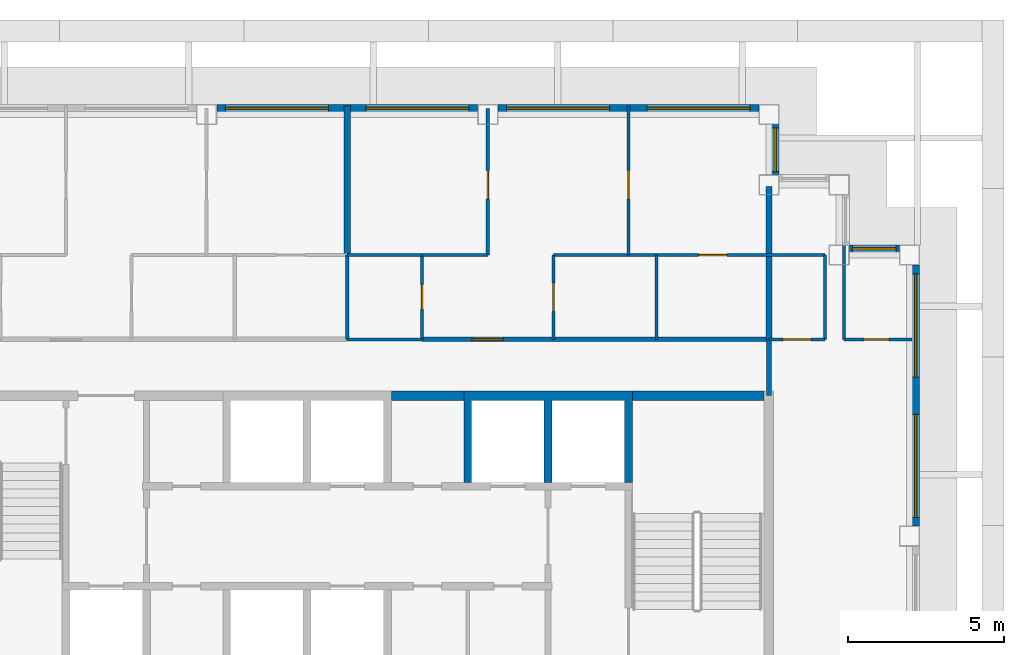
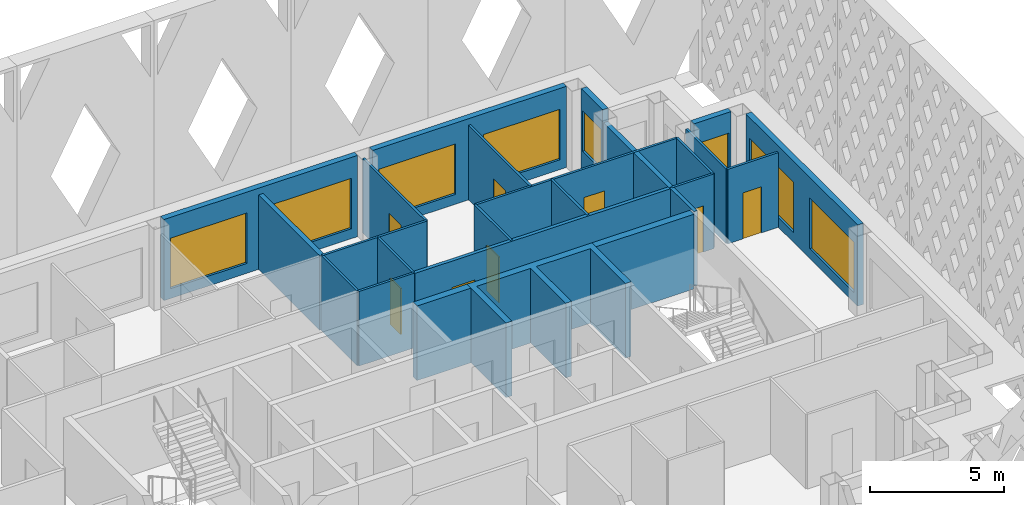
# One storey, part 7 of 17: 26 walls, 8 doors, 8 windows, 16 openings.
"""IFC4 building model written with IfcOpenShell, lengths in metres."""

from ifc_helpers import new_model, si_unit, direction, frame, frame_2d, origin, place, context, subcontext, project, spatial, polyline, rectangle, outline, extrude, material, layer, layer_set, type_object, element, fill, save


model = new_model("IFC4")

# Units and contexts
model_context = context("Model", 3, precision=1e-05, world=origin(), true_north=direction((0.0, 1.0)))
body_context = subcontext(model_context, "Body", "Model", "MODEL_VIEW")
ifc_project = project(units=[si_unit("LENGTHUNIT", "METRE"), si_unit("AREAUNIT", "SQUARE_METRE"), si_unit("VOLUMEUNIT", "CUBIC_METRE"), si_unit("PLANEANGLEUNIT", "RADIAN"), si_unit("MASSUNIT", "GRAM", prefix="KILO")], contexts=[model_context])

# Site, building, storey
site_placement = place(None, origin())
site = spatial("IfcSite", under=ifc_project, at=site_placement, CompositionType="ELEMENT")
building_placement = place(site_placement, origin())
building = spatial("IfcBuilding", under=site, at=building_placement, Name="Caravel Reach Hotel and Residences", CompositionType="ELEMENT")
storey_placement = place(building_placement, frame((0.0, 0.0, 222.0)))
storey = spatial("IfcBuildingStorey", under=building, at=storey_placement, Name="L56", CompositionType="ELEMENT", Elevation=222.0)

# Wall
ifc_material_1 = material(Name="Gypsum board on steel stud", Category="steel")
ifc_layer_1 = layer(ifc_material_1, 0.10009765625)
ifc_layer_set_1 = layer_set([ifc_layer_1], Name="Bathroom pod wall 100 mm")
wall_type_1 = type_object("IfcWallType", Name="Bathroom pod wall 100 mm", PredefinedType="PARTITIONING", material=ifc_layer_set_1)
wall_1_placement = place(storey_placement, frame((31.5, 33.300048828125, 0.0), z_axis=(0.0, 0.0, 1.0), x_axis=(1.0, 0.0, 0.0)))
element("IfcWall", 1, at=wall_1_placement, inside=storey, type_object=wall_type_1, Name="L56 wall w082", PredefinedType="PARTITIONING", context=body_context, shape_type="SweptSolid", body=[
    extrude(rectangle(XDim=2.39990234375, YDim=0.10009765625, at=frame_2d((1.199951171875, 0.0))), origin(), (0.0, 0.0, 1.0), 3.39990234375),
])

# Wall, opening, door
wall_2_placement = place(storey_placement, frame((47.39990234375, 33.300048828125, 0.0), z_axis=(0.0, 0.0, 1.0), x_axis=(1.0, 0.0, 0.0)))
wall_2 = element("IfcWall", 2, at=wall_2_placement, inside=storey, type_object=wall_type_1, Name="L56 wall w083", PredefinedType="PARTITIONING", context=body_context, shape_type="SweptSolid", body=[
    extrude(rectangle(XDim=2.175048828125, YDim=0.10009765625, at=frame_2d((1.08740234375, 0.0))), origin(), (0.0, 0.0, 1.0), 3.39990234375),
])
opening_1_placement = place(wall_2_placement, frame((0.64990234375, 0.0, 0.0)))
opening_1 = element("IfcOpeningElement", 3, at=opening_1_placement, cuts=wall_2, Name="Opening D56-045", PredefinedType="OPENING", context=body_context, shape_type="SweptSolid", body=[
    extrude(rectangle(XDim=0.800048828125, YDim=2.10009765625, at=frame_2d((0.39990234375, 1.050048828125))), frame((0.0, 0.06005859375, 0.0), z_axis=(0.0, -1.0, 0.0), x_axis=(1.0, 0.0, 0.0)), (0.0, 0.0, 1.0), 0.1201171875),
])
ifc_material_2 = material(Name="Timber and steel door leaf", Category="steel")
door_type_1 = type_object("IfcDoorType", Name="Bathroom door 800 x 2100", OperationType="SINGLE_SWING_LEFT", PredefinedType="DOOR", material=ifc_material_2)
door_1_placement = place(opening_1_placement, origin())
door_1 = element("IfcDoor", 4, at=door_1_placement, inside=storey, type_object=door_type_1, Name="door D56-045", OperationType="SINGLE_SWING_RIGHT", OverallHeight=2.10009765625, OverallWidth=0.800048828125, PredefinedType="DOOR", context=body_context, shape_type="SweptSolid", body=[
    extrude(rectangle(XDim=0.800048828125, YDim=2.10009765625, at=frame_2d((0.39990234375, 1.050048828125))), frame((0.0, 0.02490234375, 0.0), z_axis=(0.0, -1.0, 0.0), x_axis=(1.0, 0.0, 0.0)), (0.0, 0.0, 1.0), 0.050048828125),
])
fill(opening_1, door_1)

# Walls
wall_3_placement = place(storey_placement, frame((31.5, 36.0, 0.0), z_axis=(0.0, 0.0, 1.0), x_axis=(1.0, 0.0, 0.0)))
element("IfcWall", 5, at=wall_3_placement, inside=storey, type_object=wall_type_1, Name="L56 wall w085", PredefinedType="PARTITIONING", context=body_context, shape_type="SweptSolid", body=[
    extrude(rectangle(XDim=2.39990234375, YDim=0.10009765625, at=frame_2d((1.199951171875, 0.0))), origin(), (0.0, 0.0, 1.0), 3.39990234375),
])
wall_4_placement = place(storey_placement, frame((31.5, 33.300048828125, 0.0), z_axis=(0.0, 0.0, 1.0), x_axis=(0.0, 1.0, 0.0)))
element("IfcWall", 6, at=wall_4_placement, inside=storey, type_object=wall_type_1, Name="L56 wall w095", PredefinedType="PARTITIONING", context=body_context, shape_type="SweptSolid", body=[
    extrude(rectangle(XDim=2.699951171875, YDim=0.10009765625, at=frame_2d((1.35009765625, 0.0))), origin(), (0.0, 0.0, 1.0), 3.39990234375),
])

# Wall, opening, door
wall_5_placement = place(storey_placement, frame((33.89990234375, 33.300048828125, 0.0), z_axis=(0.0, 0.0, 1.0), x_axis=(0.0, 1.0, 0.0)))
wall_5 = element("IfcWall", 7, at=wall_5_placement, inside=storey, type_object=wall_type_1, Name="L56 wall w098", PredefinedType="PARTITIONING", context=body_context, shape_type="SweptSolid", body=[
    extrude(rectangle(XDim=2.699951171875, YDim=0.10009765625, at=frame_2d((1.35009765625, 0.0))), origin(), (0.0, 0.0, 1.0), 3.39990234375),
])
opening_2_placement = place(wall_5_placement, frame((0.949951171875, 0.0, 0.0)))
opening_2 = element("IfcOpeningElement", 8, at=opening_2_placement, cuts=wall_5, Name="Opening D56-024", PredefinedType="OPENING", context=body_context, shape_type="SweptSolid", body=[
    extrude(rectangle(XDim=0.800048828125, YDim=2.10009765625, at=frame_2d((0.39990234375, 1.050048828125))), frame((0.0, 0.06005859375, 0.0), z_axis=(0.0, -1.0, 0.0), x_axis=(1.0, 0.0, 0.0)), (0.0, 0.0, 1.0), 0.1201171875),
])
door_2_placement = place(opening_2_placement, origin())
door_2 = element("IfcDoor", 9, at=door_2_placement, inside=storey, type_object=door_type_1, Name="door D56-024", OperationType="SINGLE_SWING_RIGHT", OverallHeight=2.10009765625, OverallWidth=0.800048828125, PredefinedType="DOOR", context=body_context, shape_type="SweptSolid", body=[
    extrude(rectangle(XDim=0.800048828125, YDim=2.10009765625, at=frame_2d((0.39990234375, 1.050048828125))), frame((0.0, 0.02490234375, 0.0), z_axis=(0.0, -1.0, 0.0), x_axis=(1.0, 0.0, 0.0)), (0.0, 0.0, 1.0), 0.050048828125),
])
fill(opening_2, door_2)

# Walls
wall_6_placement = place(storey_placement, frame((47.39990234375, 33.300048828125, 0.0), z_axis=(0.0, 0.0, 1.0), x_axis=(0.0, 1.0, 0.0)))
element("IfcWall", 10, at=wall_6_placement, inside=storey, type_object=wall_type_1, Name="L56 wall w103", PredefinedType="PARTITIONING", context=body_context, shape_type="SweptSolid", body=[
    extrude(rectangle(XDim=3.02490234375, YDim=0.10009765625, at=frame_2d((1.512451171875, 0.0))), origin(), (0.0, 0.0, 1.0), 3.39990234375),
])
ifc_material_3 = material(Name="Concrete C60", Category="concrete")
ifc_layer_2 = layer(ifc_material_3, 0.300048828125)
ifc_layer_set_2 = layer_set([ifc_layer_2], Name="Core wall 300 mm EI 120")
wall_type_2 = type_object("IfcWallType", Name="Core wall 300 mm EI 120", PredefinedType="SHEAR", material=ifc_layer_set_2)
wall_7_placement = place(storey_placement, frame((32.91064453125, 31.5, 0.0), z_axis=(0.0, 0.0, 1.0), x_axis=(1.0, 0.0, 0.0)))
element("IfcWall", 11, at=wall_7_placement, inside=storey, type_object=wall_type_2, Name="L56 core wall N2", PredefinedType="SHEAR", context=body_context, shape_type="SweptSolid", body=[
    extrude(rectangle(XDim=2.321533203125, YDim=0.300048828125, at=frame_2d((1.16064453125, 0.0))), origin(), (0.0, 0.0, 1.0), 3.39990234375),
])
wall_8_placement = place(storey_placement, frame((40.625, 31.5, 0.0), z_axis=(0.0, 0.0, 1.0), x_axis=(1.0, 0.0, 0.0)))
element("IfcWall", 12, at=wall_8_placement, inside=storey, type_object=wall_type_2, Name="L56 core wall N3", PredefinedType="SHEAR", context=body_context, shape_type="SweptSolid", body=[
    extrude(rectangle(XDim=4.22509765625, YDim=0.300048828125, at=frame_2d((2.112548828125, 0.0))), origin(), (0.0, 0.0, 1.0), 3.39990234375),
])

# Wall, opening, door
ifc_material_4 = material(Name="Gypsum board on steel stud, fire-rated", Category="steel")
ifc_layer_3 = layer(ifc_material_4, 0.14990234375)
ifc_layer_set_3 = layer_set([ifc_layer_3], Name="Corridor wall 150 mm EI 60")
wall_type_3 = type_object("IfcWallType", Name="Corridor wall 150 mm EI 60", PredefinedType="PARTITIONING", material=ifc_layer_set_3)
wall_9_placement = place(storey_placement, frame((33.89990234375, 33.300048828125, 0.0), z_axis=(0.0, 0.0, 1.0), x_axis=(1.0, 0.0, 0.0)))
wall_9 = element("IfcWall", 13, at=wall_9_placement, inside=storey, type_object=wall_type_3, Name="L56 wall w014", PredefinedType="PARTITIONING", context=body_context, shape_type="SweptSolid", body=[
    extrude(rectangle(XDim=11.10009765625, YDim=0.14990234375, at=frame_2d((5.550048828125, 0.0))), origin(), (0.0, 0.0, 1.0), 3.39990234375),
])
opening_3_placement = place(wall_9_placement, frame((1.60009765625, 0.0, 0.0)))
opening_3 = element("IfcOpeningElement", 14, at=opening_3_placement, cuts=wall_9, Name="Opening D56-023", PredefinedType="OPENING", context=body_context, shape_type="SweptSolid", body=[
    extrude(rectangle(XDim=1.0, YDim=2.199951171875, at=frame_2d((0.5, 1.10009765625))), frame((0.0, 0.0849609375, 0.0), z_axis=(0.0, -1.0, 0.0), x_axis=(1.0, 0.0, 0.0)), (0.0, 0.0, 1.0), 0.169921875),
])
ifc_material_5 = material(Name="Steel fire door leaf", Category="steel")
door_type_2 = type_object("IfcDoorType", Name="Flat entrance door 1000 x 2200 EI 60", OperationType="SINGLE_SWING_LEFT", PredefinedType="DOOR", material=ifc_material_5)
door_3_placement = place(opening_3_placement, origin())
door_3 = element("IfcDoor", 15, at=door_3_placement, inside=storey, type_object=door_type_2, Name="door D56-023", OperationType="SINGLE_SWING_RIGHT", OverallHeight=2.199951171875, OverallWidth=1.0, PredefinedType="DOOR", context=body_context, shape_type="SweptSolid", body=[
    extrude(rectangle(XDim=1.0, YDim=2.199951171875, at=frame_2d((0.5, 1.10009765625))), frame((0.0, 0.02490234375, 0.0), z_axis=(0.0, -1.0, 0.0), x_axis=(1.0, 0.0, 0.0)), (0.0, 0.0, 1.0), 0.050048828125),
])
fill(opening_3, door_3)

# Wall
wall_10_placement = place(storey_placement, frame((45.0, 31.5, 0.0), z_axis=(0.0, 0.0, 1.0), x_axis=(0.0, 1.0, 0.0)))
element("IfcWall", 16, at=wall_10_placement, inside=storey, type_object=wall_type_3, Name="L56 wall w028", PredefinedType="PARTITIONING", context=body_context, shape_type="SweptSolid", body=[
    extrude(rectangle(XDim=1.800048828125, YDim=0.14990234375, at=frame_2d((0.89990234375, 0.0))), origin(), (0.0, 0.0, 1.0), 3.39990234375),
])

# Wall, openings, windows
ifc_material_6 = material(Name="Insulated rainscreen wall, aluminium cladding", Category="aluminium")
ifc_layer_4 = layer(ifc_material_6, 0.25)
ifc_layer_set_4 = layer_set([ifc_layer_4], Name="EW1 Tower rainscreen wall")
wall_type_4 = type_object("IfcWallType", Name="EW1 Tower rainscreen wall", PredefinedType="SOLIDWALL", material=ifc_layer_set_4)
wall_11_placement = place(storey_placement, frame((49.699951171875, 27.324951171875, 0.0), z_axis=(0.0, 0.0, 1.0), x_axis=(0.0, 1.0, 0.0)))
wall_11 = element("IfcWall", 17, at=wall_11_placement, inside=storey, type_object=wall_type_4, Name="External wall L56 E6.2", PredefinedType="SOLIDWALL", context=body_context, shape_type="SweptSolid", body=[
    extrude(rectangle(XDim=8.35009765625, YDim=0.25, at=frame_2d((4.175048828125, 0.0))), origin(), (0.0, 0.0, 1.0), 3.699951171875),
])
opening_4_placement = place(wall_11_placement, frame((0.27490234375, 0.0, 0.449951171875)))
opening_4 = element("IfcOpeningElement", 18, at=opening_4_placement, cuts=wall_11, Name="Opening WN15", PredefinedType="OPENING", context=body_context, shape_type="SweptSolid", body=[
    extrude(rectangle(XDim=3.300048828125, YDim=2.300048828125, at=frame_2d((1.64990234375, 1.14990234375))), frame((0.0, 0.135009765625, 0.0), z_axis=(0.0, -1.0, 0.0), x_axis=(1.0, 0.0, 0.0)), (0.0, 0.0, 1.0), 0.27001953125),
])
opening_5_placement = place(wall_11_placement, frame((4.77490234375, 0.0, 0.449951171875)))
opening_5 = element("IfcOpeningElement", 19, at=opening_5_placement, cuts=wall_11, Name="Opening WN15", PredefinedType="OPENING", context=body_context, shape_type="SweptSolid", body=[
    extrude(rectangle(XDim=3.300048828125, YDim=2.300048828125, at=frame_2d((1.64990234375, 1.14990234375))), frame((0.0, 0.135009765625, 0.0), z_axis=(0.0, -1.0, 0.0), x_axis=(1.0, 0.0, 0.0)), (0.0, 0.0, 1.0), 0.27001953125),
])
ifc_material_7 = material(Name="Dark low-e glazing in black aluminium frame", Category="aluminium")
window_type_1 = type_object("IfcWindowType", Name="Residence living window 3300 x 2300", PartitioningType="SINGLE_PANEL", PredefinedType="WINDOW", material=ifc_material_7)
window_1_placement = place(opening_4_placement, origin())
window_1 = element("IfcWindow", 20, at=window_1_placement, inside=storey, type_object=window_type_1, Name="Window L56 E6.2.1", OverallHeight=2.300048828125, OverallWidth=3.300048828125, PartitioningType="SINGLE_PANEL", PredefinedType="WINDOW", context=body_context, shape_type="SweptSolid", body=[
    extrude(rectangle(XDim=3.300048828125, YDim=2.300048828125, at=frame_2d((1.64990234375, 1.14990234375))), frame((0.0, 0.030029296875, 0.0), z_axis=(0.0, -1.0, 0.0), x_axis=(1.0, 0.0, 0.0)), (0.0, 0.0, 1.0), 0.06005859375),
])
fill(opening_4, window_1)
window_2_placement = place(opening_5_placement, origin())
window_2 = element("IfcWindow", 21, at=window_2_placement, inside=storey, type_object=window_type_1, Name="Window L56 E6.2.2", OverallHeight=2.300048828125, OverallWidth=3.300048828125, PartitioningType="SINGLE_PANEL", PredefinedType="WINDOW", context=body_context, shape_type="SweptSolid", body=[
    extrude(rectangle(XDim=3.300048828125, YDim=2.300048828125, at=frame_2d((1.64990234375, 1.14990234375))), frame((0.0, 0.030029296875, 0.0), z_axis=(0.0, -1.0, 0.0), x_axis=(1.0, 0.0, 0.0)), (0.0, 0.0, 1.0), 0.06005859375),
])
fill(opening_5, window_2)

# Wall, opening, window
wall_12_placement = place(storey_placement, frame((49.175048828125, 36.199951171875, 0.0), z_axis=(0.0, 0.0, 1.0), x_axis=(-1.0, 0.0, 0.0)))
wall_12 = element("IfcWall", 22, at=wall_12_placement, inside=storey, type_object=wall_type_4, Name="External wall L56 N7.1", PredefinedType="SOLIDWALL", context=body_context, shape_type="SweptSolid", body=[
    extrude(rectangle(XDim=1.60009765625, YDim=0.25, at=frame_2d((0.800048828125, 0.0))), origin(), (0.0, 0.0, 1.0), 3.699951171875),
])
opening_6_placement = place(wall_12_placement, frame((0.10009765625, 0.0, 0.89990234375)))
opening_6 = element("IfcOpeningElement", 23, at=opening_6_placement, cuts=wall_12, Name="Opening WN22", PredefinedType="OPENING", context=body_context, shape_type="SweptSolid", body=[
    extrude(rectangle(XDim=1.39990234375, YDim=1.85009765625, at=frame_2d((0.699951171875, 0.925048828125))), frame((0.0, 0.135009765625, 0.0), z_axis=(0.0, -1.0, 0.0), x_axis=(1.0, 0.0, 0.0)), (0.0, 0.0, 1.0), 0.27001953125),
])
ifc_material_8 = material(Name="Dark low-e glazing in black aluminium frame", Category="aluminium")
window_type_2 = type_object("IfcWindowType", Name="Residence bedroom window 1400 x 1850", PartitioningType="SINGLE_PANEL", PredefinedType="WINDOW", material=ifc_material_8)
window_3_placement = place(opening_6_placement, origin())
window_3 = element("IfcWindow", 24, at=window_3_placement, inside=storey, type_object=window_type_2, Name="Window L56 N7.1.1", OverallHeight=1.85009765625, OverallWidth=1.39990234375, PartitioningType="SINGLE_PANEL", PredefinedType="WINDOW", context=body_context, shape_type="SweptSolid", body=[
    extrude(rectangle(XDim=1.39990234375, YDim=1.85009765625, at=frame_2d((0.699951171875, 0.925048828125))), frame((0.0, 0.030029296875, 0.0), z_axis=(0.0, -1.0, 0.0), x_axis=(1.0, 0.0, 0.0)), (0.0, 0.0, 1.0), 0.06005859375),
])
fill(opening_6, window_3)

wall_13_placement = place(storey_placement, frame((45.199951171875, 38.574951171875, 0.0), z_axis=(0.0, 0.0, 1.0), x_axis=(0.0, 1.0, 0.0)))
wall_13 = element("IfcWall", 25, at=wall_13_placement, inside=storey, type_object=wall_type_4, Name="External wall L56 E10.1", PredefinedType="SOLIDWALL", context=body_context, shape_type="SweptSolid", body=[
    extrude(rectangle(XDim=1.60009765625, YDim=0.25, at=frame_2d((0.800048828125, 0.0))), origin(), (0.0, 0.0, 1.0), 3.699951171875),
])
opening_7_placement = place(wall_13_placement, frame((0.10009765625, 0.0, 0.89990234375)))
opening_7 = element("IfcOpeningElement", 26, at=opening_7_placement, cuts=wall_13, Name="Opening WN22", PredefinedType="OPENING", context=body_context, shape_type="SweptSolid", body=[
    extrude(rectangle(XDim=1.39990234375, YDim=1.85009765625, at=frame_2d((0.699951171875, 0.925048828125))), frame((0.0, 0.135009765625, 0.0), z_axis=(0.0, -1.0, 0.0), x_axis=(1.0, 0.0, 0.0)), (0.0, 0.0, 1.0), 0.27001953125),
])
window_4_placement = place(opening_7_placement, origin())
window_4 = element("IfcWindow", 27, at=window_4_placement, inside=storey, type_object=window_type_2, Name="Window L56 E10.1.1", OverallHeight=1.85009765625, OverallWidth=1.39990234375, PartitioningType="SINGLE_PANEL", PredefinedType="WINDOW", context=body_context, shape_type="SweptSolid", body=[
    extrude(rectangle(XDim=1.39990234375, YDim=1.85009765625, at=frame_2d((0.699951171875, 0.925048828125))), frame((0.0, 0.030029296875, 0.0), z_axis=(0.0, -1.0, 0.0), x_axis=(1.0, 0.0, 0.0)), (0.0, 0.0, 1.0), 0.06005859375),
])
fill(opening_7, window_4)

# Wall, openings, windows
wall_14_placement = place(storey_placement, frame((44.675048828125, 40.699951171875, 0.0), z_axis=(0.0, 0.0, 1.0), x_axis=(-1.0, 0.0, 0.0)))
wall_14 = element("IfcWall", 28, at=wall_14_placement, inside=storey, type_object=wall_type_4, Name="External wall L56 N11.1", PredefinedType="SOLIDWALL", context=body_context, shape_type="SweptSolid", body=[
    extrude(rectangle(XDim=8.35009765625, YDim=0.25, at=frame_2d((4.175048828125, 0.0))), origin(), (0.0, 0.0, 1.0), 3.699951171875),
])
opening_8_placement = place(wall_14_placement, frame((0.27490234375, 0.0, 0.449951171875)))
opening_8 = element("IfcOpeningElement", 29, at=opening_8_placement, cuts=wall_14, Name="Opening WN15", PredefinedType="OPENING", context=body_context, shape_type="SweptSolid", body=[
    extrude(rectangle(XDim=3.300048828125, YDim=2.300048828125, at=frame_2d((1.64990234375, 1.14990234375))), frame((0.0, 0.135009765625, 0.0), z_axis=(0.0, -1.0, 0.0), x_axis=(1.0, 0.0, 0.0)), (0.0, 0.0, 1.0), 0.27001953125),
])
opening_9_placement = place(wall_14_placement, frame((4.77490234375, 0.0, 0.449951171875)))
opening_9 = element("IfcOpeningElement", 30, at=opening_9_placement, cuts=wall_14, Name="Opening WN15", PredefinedType="OPENING", context=body_context, shape_type="SweptSolid", body=[
    extrude(rectangle(XDim=3.300048828125, YDim=2.300048828125, at=frame_2d((1.64990234375, 1.14990234375))), frame((0.0, 0.135009765625, 0.0), z_axis=(0.0, -1.0, 0.0), x_axis=(1.0, 0.0, 0.0)), (0.0, 0.0, 1.0), 0.27001953125),
])
window_5_placement = place(opening_8_placement, origin())
window_5 = element("IfcWindow", 31, at=window_5_placement, inside=storey, type_object=window_type_1, Name="Window L56 N11.1.1", OverallHeight=2.300048828125, OverallWidth=3.300048828125, PartitioningType="SINGLE_PANEL", PredefinedType="WINDOW", context=body_context, shape_type="SweptSolid", body=[
    extrude(rectangle(XDim=3.300048828125, YDim=2.300048828125, at=frame_2d((1.64990234375, 1.14990234375))), frame((0.0, 0.030029296875, 0.0), z_axis=(0.0, -1.0, 0.0), x_axis=(1.0, 0.0, 0.0)), (0.0, 0.0, 1.0), 0.06005859375),
])
fill(opening_8, window_5)
window_6_placement = place(opening_9_placement, origin())
window_6 = element("IfcWindow", 32, at=window_6_placement, inside=storey, type_object=window_type_1, Name="Window L56 N11.1.2", OverallHeight=2.300048828125, OverallWidth=3.300048828125, PartitioningType="SINGLE_PANEL", PredefinedType="WINDOW", context=body_context, shape_type="SweptSolid", body=[
    extrude(rectangle(XDim=3.300048828125, YDim=2.300048828125, at=frame_2d((1.64990234375, 1.14990234375))), frame((0.0, 0.030029296875, 0.0), z_axis=(0.0, -1.0, 0.0), x_axis=(1.0, 0.0, 0.0)), (0.0, 0.0, 1.0), 0.06005859375),
])
fill(opening_9, window_6)

wall_15_placement = place(storey_placement, frame((35.675048828125, 40.699951171875, 0.0), z_axis=(0.0, 0.0, 1.0), x_axis=(-1.0, 0.0, 0.0)))
wall_15 = element("IfcWall", 33, at=wall_15_placement, inside=storey, type_object=wall_type_4, Name="External wall L56 N11.2", PredefinedType="SOLIDWALL", context=body_context, shape_type="SweptSolid", body=[
    extrude(rectangle(XDim=8.35009765625, YDim=0.25, at=frame_2d((4.175048828125, 0.0))), origin(), (0.0, 0.0, 1.0), 3.699951171875),
])
opening_10_placement = place(wall_15_placement, frame((0.27490234375, 0.0, 0.449951171875)))
opening_10 = element("IfcOpeningElement", 34, at=opening_10_placement, cuts=wall_15, Name="Opening WN15", PredefinedType="OPENING", context=body_context, shape_type="SweptSolid", body=[
    extrude(rectangle(XDim=3.300048828125, YDim=2.300048828125, at=frame_2d((1.64990234375, 1.14990234375))), frame((0.0, 0.135009765625, 0.0), z_axis=(0.0, -1.0, 0.0), x_axis=(1.0, 0.0, 0.0)), (0.0, 0.0, 1.0), 0.27001953125),
])
opening_11_placement = place(wall_15_placement, frame((4.77490234375, 0.0, 0.449951171875)))
opening_11 = element("IfcOpeningElement", 35, at=opening_11_placement, cuts=wall_15, Name="Opening WN15", PredefinedType="OPENING", context=body_context, shape_type="SweptSolid", body=[
    extrude(rectangle(XDim=3.300048828125, YDim=2.300048828125, at=frame_2d((1.64990234375, 1.14990234375))), frame((0.0, 0.135009765625, 0.0), z_axis=(0.0, -1.0, 0.0), x_axis=(1.0, 0.0, 0.0)), (0.0, 0.0, 1.0), 0.27001953125),
])
window_7_placement = place(opening_10_placement, origin())
window_7 = element("IfcWindow", 36, at=window_7_placement, inside=storey, type_object=window_type_1, Name="Window L56 N11.2.1", OverallHeight=2.300048828125, OverallWidth=3.300048828125, PartitioningType="SINGLE_PANEL", PredefinedType="WINDOW", context=body_context, shape_type="SweptSolid", body=[
    extrude(rectangle(XDim=3.300048828125, YDim=2.300048828125, at=frame_2d((1.64990234375, 1.14990234375))), frame((0.0, 0.030029296875, 0.0), z_axis=(0.0, -1.0, 0.0), x_axis=(1.0, 0.0, 0.0)), (0.0, 0.0, 1.0), 0.06005859375),
])
fill(opening_10, window_7)
window_8_placement = place(opening_11_placement, origin())
window_8 = element("IfcWindow", 37, at=window_8_placement, inside=storey, type_object=window_type_1, Name="Window L56 N11.2.2", OverallHeight=2.300048828125, OverallWidth=3.300048828125, PartitioningType="SINGLE_PANEL", PredefinedType="WINDOW", context=body_context, shape_type="SweptSolid", body=[
    extrude(rectangle(XDim=3.300048828125, YDim=2.300048828125, at=frame_2d((1.64990234375, 1.14990234375))), frame((0.0, 0.030029296875, 0.0), z_axis=(0.0, -1.0, 0.0), x_axis=(1.0, 0.0, 0.0)), (0.0, 0.0, 1.0), 0.06005859375),
])
fill(opening_11, window_8)

# Wall, opening, door
ifc_material_9 = material(Name="Gypsum board on steel stud", Category="steel")
ifc_layer_5 = layer(ifc_material_9, 0.10009765625)
ifc_layer_set_5 = layer_set([ifc_layer_5], Name="Partition 100 mm")
wall_type_5 = type_object("IfcWallType", Name="Partition 100 mm", PredefinedType="PARTITIONING", material=ifc_layer_set_5)
wall_16_placement = place(storey_placement, frame((45.0, 33.300048828125, 0.0), z_axis=(0.0, 0.0, 1.0), x_axis=(1.0, 0.0, 0.0)))
wall_16 = element("IfcWall", 38, at=wall_16_placement, inside=storey, type_object=wall_type_5, Name="L56 wall w037", PredefinedType="PARTITIONING", context=body_context, shape_type="SweptSolid", body=[
    extrude(rectangle(XDim=1.800048828125, YDim=0.10009765625, at=frame_2d((0.89990234375, 0.0))), origin(), (0.0, 0.0, 1.0), 3.39990234375),
])
opening_12_placement = place(wall_16_placement, frame((0.449951171875, 0.0, 0.0)))
opening_12 = element("IfcOpeningElement", 39, at=opening_12_placement, cuts=wall_16, Name="Opening D56-046", PredefinedType="OPENING", context=body_context, shape_type="SweptSolid", body=[
    extrude(rectangle(XDim=0.89990234375, YDim=2.10009765625, at=frame_2d((0.449951171875, 1.050048828125))), frame((0.0, 0.06005859375, 0.0), z_axis=(0.0, -1.0, 0.0), x_axis=(1.0, 0.0, 0.0)), (0.0, 0.0, 1.0), 0.1201171875),
])
ifc_material_10 = material(Name="Timber and steel door leaf", Category="steel")
door_type_3 = type_object("IfcDoorType", Name="Door 900 x 2100 timber", OperationType="SINGLE_SWING_LEFT", PredefinedType="DOOR", material=ifc_material_10)
door_4_placement = place(opening_12_placement, origin())
door_4 = element("IfcDoor", 40, at=door_4_placement, inside=storey, type_object=door_type_3, Name="door D56-046", OperationType="SINGLE_SWING_LEFT", OverallHeight=2.10009765625, OverallWidth=0.89990234375, PredefinedType="DOOR", context=body_context, shape_type="SweptSolid", body=[
    extrude(rectangle(XDim=0.89990234375, YDim=2.10009765625, at=frame_2d((0.449951171875, 1.050048828125))), frame((0.0, 0.02490234375, 0.0), z_axis=(0.0, -1.0, 0.0), x_axis=(1.0, 0.0, 0.0)), (0.0, 0.0, 1.0), 0.050048828125),
])
fill(opening_12, door_4)

# Wall
wall_17_placement = place(storey_placement, frame((33.89990234375, 36.0, 0.0), z_axis=(0.0, 0.0, 1.0), x_axis=(1.0, 0.0, 0.0)))
element("IfcWall", 41, at=wall_17_placement, inside=storey, type_object=wall_type_5, Name="L56 wall w042", PredefinedType="PARTITIONING", context=body_context, shape_type="SweptSolid", body=[
    extrude(rectangle(XDim=2.10009765625, YDim=0.10009765625, at=frame_2d((1.050048828125, 0.0))), origin(), (0.0, 0.0, 1.0), 3.39990234375),
])

# Wall, opening, door
wall_18_placement = place(storey_placement, frame((38.10009765625, 36.0, 0.0), z_axis=(0.0, 0.0, 1.0), x_axis=(1.0, 0.0, 0.0)))
wall_18 = element("IfcWall", 42, at=wall_18_placement, inside=storey, type_object=wall_type_5, Name="L56 wall w044", PredefinedType="PARTITIONING", context=body_context, shape_type="SweptSolid", body=[
    extrude(rectangle(XDim=8.699951171875, YDim=0.10009765625, at=frame_2d((4.35009765625, 0.0))), origin(), (0.0, 0.0, 1.0), 3.39990234375),
])
opening_13_placement = place(wall_18_placement, frame((4.650146484375, 0.0, 0.0)))
opening_13 = element("IfcOpeningElement", 43, at=opening_13_placement, cuts=wall_18, Name="Opening D56-026", PredefinedType="OPENING", context=body_context, shape_type="SweptSolid", body=[
    extrude(rectangle(XDim=0.89990234375, YDim=2.10009765625, at=frame_2d((0.449951171875, 1.050048828125))), frame((0.0, 0.06005859375, 0.0), z_axis=(0.0, -1.0, 0.0), x_axis=(1.0, 0.0, 0.0)), (0.0, 0.0, 1.0), 0.1201171875),
])
door_5_placement = place(opening_13_placement, origin())
door_5 = element("IfcDoor", 44, at=door_5_placement, inside=storey, type_object=door_type_3, Name="door D56-026", OperationType="SINGLE_SWING_RIGHT", OverallHeight=2.10009765625, OverallWidth=0.89990234375, PredefinedType="DOOR", context=body_context, shape_type="SweptSolid", body=[
    extrude(rectangle(XDim=0.89990234375, YDim=2.10009765625, at=frame_2d((0.449951171875, 1.050048828125))), frame((0.0, 0.02490234375, 0.0), z_axis=(0.0, -1.0, 0.0), x_axis=(1.0, 0.0, 0.0)), (0.0, 0.0, 1.0), 0.050048828125),
])
fill(opening_13, door_5)

wall_19_placement = place(storey_placement, frame((36.0, 36.0, 0.0), z_axis=(0.0, 0.0, 1.0), x_axis=(0.0, 1.0, 0.0)))
wall_19 = element("IfcWall", 45, at=wall_19_placement, inside=storey, type_object=wall_type_5, Name="L56 wall w057", PredefinedType="PARTITIONING", context=body_context, shape_type="SweptSolid", body=[
    extrude(rectangle(XDim=4.68994140625, YDim=0.10009765625, at=frame_2d((2.344970703125, 0.0))), origin(), (0.0, 0.0, 1.0), 3.39990234375),
])
opening_14_placement = place(wall_19_placement, frame((1.800048828125, 0.0, 0.0)))
opening_14 = element("IfcOpeningElement", 46, at=opening_14_placement, cuts=wall_19, Name="Opening D56-027", PredefinedType="OPENING", context=body_context, shape_type="SweptSolid", body=[
    extrude(rectangle(XDim=0.89990234375, YDim=2.10009765625, at=frame_2d((0.449951171875, 1.050048828125))), frame((0.0, 0.06005859375, 0.0), z_axis=(0.0, -1.0, 0.0), x_axis=(1.0, 0.0, 0.0)), (0.0, 0.0, 1.0), 0.1201171875),
])
door_6_placement = place(opening_14_placement, origin())
door_6 = element("IfcDoor", 47, at=door_6_placement, inside=storey, type_object=door_type_3, Name="door D56-027", OperationType="SINGLE_SWING_RIGHT", OverallHeight=2.10009765625, OverallWidth=0.89990234375, PredefinedType="DOOR", context=body_context, shape_type="SweptSolid", body=[
    extrude(rectangle(XDim=0.89990234375, YDim=2.10009765625, at=frame_2d((0.449951171875, 1.050048828125))), frame((0.0, 0.02490234375, 0.0), z_axis=(0.0, -1.0, 0.0), x_axis=(1.0, 0.0, 0.0)), (0.0, 0.0, 1.0), 0.050048828125),
])
fill(opening_14, door_6)

wall_20_placement = place(storey_placement, frame((38.10009765625, 33.300048828125, 0.0), z_axis=(0.0, 0.0, 1.0), x_axis=(0.0, 1.0, 0.0)))
wall_20 = element("IfcWall", 48, at=wall_20_placement, inside=storey, type_object=wall_type_5, Name="L56 wall w060", PredefinedType="PARTITIONING", context=body_context, shape_type="SweptSolid", body=[
    extrude(rectangle(XDim=2.699951171875, YDim=0.10009765625, at=frame_2d((1.35009765625, 0.0))), origin(), (0.0, 0.0, 1.0), 3.39990234375),
])
opening_15_placement = place(wall_20_placement, frame((0.89990234375, 0.0, 0.0)))
opening_15 = element("IfcOpeningElement", 49, at=opening_15_placement, cuts=wall_20, Name="Opening D56-025", PredefinedType="OPENING", context=body_context, shape_type="SweptSolid", body=[
    extrude(rectangle(XDim=0.89990234375, YDim=2.10009765625, at=frame_2d((0.449951171875, 1.050048828125))), frame((0.0, 0.06005859375, 0.0), z_axis=(0.0, -1.0, 0.0), x_axis=(1.0, 0.0, 0.0)), (0.0, 0.0, 1.0), 0.1201171875),
])
door_7_placement = place(opening_15_placement, origin())
door_7 = element("IfcDoor", 50, at=door_7_placement, inside=storey, type_object=door_type_3, Name="door D56-025", OperationType="SINGLE_SWING_RIGHT", OverallHeight=2.10009765625, OverallWidth=0.89990234375, PredefinedType="DOOR", context=body_context, shape_type="SweptSolid", body=[
    extrude(rectangle(XDim=0.89990234375, YDim=2.10009765625, at=frame_2d((0.449951171875, 1.050048828125))), frame((0.0, 0.02490234375, 0.0), z_axis=(0.0, -1.0, 0.0), x_axis=(1.0, 0.0, 0.0)), (0.0, 0.0, 1.0), 0.050048828125),
])
fill(opening_15, door_7)

wall_21_placement = place(storey_placement, frame((40.5, 36.0, 0.0), z_axis=(0.0, 0.0, 1.0), x_axis=(0.0, 1.0, 0.0)))
wall_21 = element("IfcWall", 51, at=wall_21_placement, inside=storey, type_object=wall_type_5, Name="L56 wall w063", PredefinedType="PARTITIONING", context=body_context, shape_type="SweptSolid", body=[
    extrude(rectangle(XDim=4.764892578125, YDim=0.10009765625, at=frame_2d((2.38232421875, 0.0))), origin(), (0.0, 0.0, 1.0), 3.39990234375),
])
opening_16_placement = place(wall_21_placement, frame((1.800048828125, 0.0, 0.0)))
opening_16 = element("IfcOpeningElement", 52, at=opening_16_placement, cuts=wall_21, Name="Opening D56-028", PredefinedType="OPENING", context=body_context, shape_type="SweptSolid", body=[
    extrude(rectangle(XDim=0.89990234375, YDim=2.10009765625, at=frame_2d((0.449951171875, 1.050048828125))), frame((0.0, 0.06005859375, 0.0), z_axis=(0.0, -1.0, 0.0), x_axis=(1.0, 0.0, 0.0)), (0.0, 0.0, 1.0), 0.1201171875),
])
door_8_placement = place(opening_16_placement, origin())
door_8 = element("IfcDoor", 53, at=door_8_placement, inside=storey, type_object=door_type_3, Name="door D56-028", OperationType="SINGLE_SWING_LEFT", OverallHeight=2.10009765625, OverallWidth=0.89990234375, PredefinedType="DOOR", context=body_context, shape_type="SweptSolid", body=[
    extrude(rectangle(XDim=0.89990234375, YDim=2.10009765625, at=frame_2d((0.449951171875, 1.050048828125))), frame((0.0, 0.02490234375, 0.0), z_axis=(0.0, -1.0, 0.0), x_axis=(1.0, 0.0, 0.0)), (0.0, 0.0, 1.0), 0.050048828125),
])
fill(opening_16, door_8)

# Walls
for number, where, z_axis, x_axis, name in (
    (54, (41.39990234375, 33.300048828125, 0.0), (0.0, 0.0, 1.0), (0.0, 1.0, 0.0), "L56 wall w064"),
    (55, (46.800048828125, 33.300048828125, 0.0), (0.0, 0.0, 1.0), (0.0, 1.0, 0.0), "L56 wall w067"),
):
    element("IfcWall", number, at=place(storey_placement, frame(where, z_axis=z_axis, x_axis=x_axis)), inside=storey, type_object=wall_type_5, Name=name, PredefinedType="PARTITIONING", context=body_context, shape_type="SweptSolid", body=[
        extrude(rectangle(XDim=2.699951171875, YDim=0.10009765625, at=frame_2d((1.35009765625, 0.0))), origin(), (0.0, 0.0, 1.0), 3.39990234375),
    ])
ifc_material_11 = material(Name="Autoclaved aerated block wall")
ifc_layer_6 = layer(ifc_material_11, 0.199951171875)
ifc_layer_set_6 = layer_set([ifc_layer_6], Name="Party wall 200 mm EI 60")
wall_type_6 = type_object("IfcWallType", Name="Party wall 200 mm EI 60", PredefinedType="PARTITIONING", material=ifc_layer_set_6)
wall_22_placement = place(storey_placement, frame((31.5, 36.0, 0.0), z_axis=(0.0, 0.0, 1.0), x_axis=(0.0, 1.0, 0.0)))
element("IfcWall", 56, at=wall_22_placement, inside=storey, type_object=wall_type_6, Name="L56 wall w073", PredefinedType="PARTITIONING", context=body_context, shape_type="SweptSolid", body=[
    extrude(rectangle(XDim=4.764892578125, YDim=0.199951171875, at=frame_2d((2.38232421875, 0.0))), origin(), (0.0, 0.0, 1.0), 3.39990234375),
])
wall_23_placement = place(storey_placement, frame((45.0, 33.300048828125, 0.0), z_axis=(0.0, 0.0, 1.0), x_axis=(0.0, 1.0, 0.0)))
element("IfcWall", 57, at=wall_23_placement, inside=storey, type_object=wall_type_6, Name="L56 wall w075", PredefinedType="PARTITIONING", context=body_context, shape_type="SweptSolid", body=[
    extrude(rectangle(XDim=4.89990234375, YDim=0.199951171875, at=frame_2d((2.449951171875, 0.0))), origin(), (0.0, 0.0, 1.0), 3.39990234375),
])
ifc_material_12 = material(Name="Concrete C60", Category="concrete")
ifc_layer_7 = layer(ifc_material_12, 0.25)
ifc_layer_set_7 = layer_set([ifc_layer_7], Name="Shaft wall 250 mm EI 120")
wall_type_7 = type_object("IfcWallType", Name="Shaft wall 250 mm EI 120", PredefinedType="SHEAR", material=ifc_layer_set_7)
wall_24_placement = place(storey_placement, origin())
element("IfcWall", 58, at=wall_24_placement, inside=storey, type_object=wall_type_7, Name="L56 lift shaft wall N2", PredefinedType="SHEAR", context=body_context, shape_type="SweptSolid", body=[
    extrude(outline(polyline([(35.232177734375, 28.72509765625), (35.482177734375, 28.72509765625), (35.482177734375, 31.35009765625), (37.803466796875, 31.35009765625), (37.803466796875, 28.72509765625), (38.053466796875, 28.72509765625), (38.053466796875, 31.35009765625), (40.375, 31.35009765625), (40.375, 28.72509765625), (40.625, 28.72509765625), (40.625, 31.64990234375), (35.232177734375, 31.64990234375), (35.232177734375, 28.72509765625)])), origin(), (0.0, 0.0, 1.0), 3.39990234375),
])

save(model, "model.ifc")
